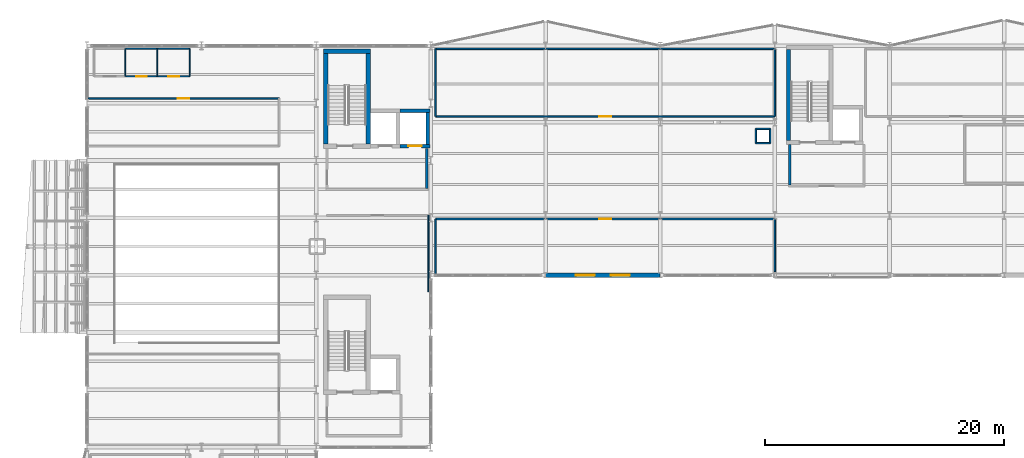
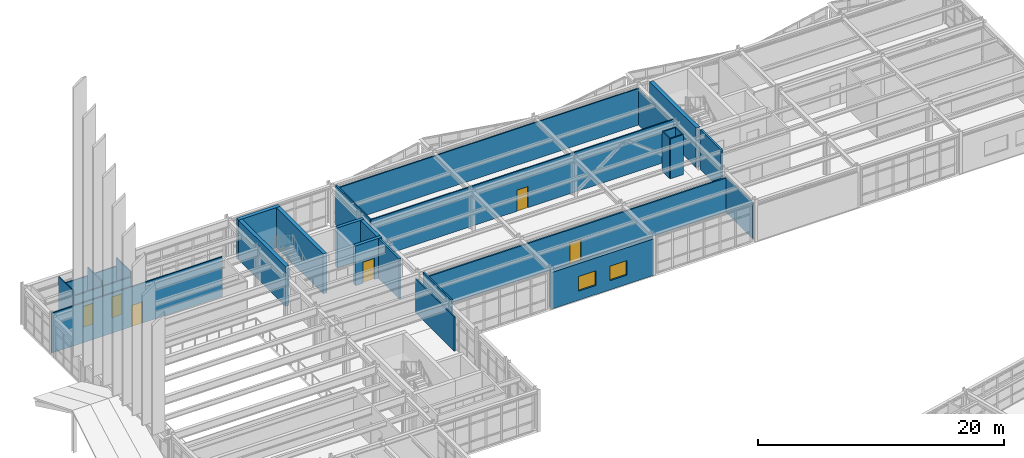
# One storey, part 85 of 99: 30 walls, 6 doors, 2 windows, 8 openings.
"""IFC4 building model written with IfcOpenShell, lengths in metres."""

import ifcopenshell
import ifcopenshell.guid

model = None  # the IFC model being written
_history = None  # IfcOwnerHistory: only IFC2X3 demands one
_inside = {}  # id of a spatial element -> (the spatial element, [elements in it])
_under = {}  # id of a project, library or spatial element -> (it, [spatial elements below it])
_declared = {}  # id of a project -> (the project, [libraries it declares])
_typed = {}  # id of a type object -> (the type object, [elements of that type])
_made_of = {}  # id of a material, layer set ... -> (it, [elements and type objects made of it])


def new_model(schema):
    """Start an empty IFC model of exactly this schema.

    Asked for "IFC4X3", IfcOpenShell would pick the latest addendum, in which some entities
    have other attributes; the version numbers below select the first issue.
    IFC2X3 requires an IfcOwnerHistory on every rooted entity: one is made here for all.
    """
    global model, _history
    if schema == "IFC4X3":
        model = ifcopenshell.file(schema_version=(4, 3, 0, 0))
    else:
        model = ifcopenshell.file(schema=schema)
    _inside.clear()
    _under.clear()
    _declared.clear()
    _typed.clear()
    _made_of.clear()
    _history = None
    if model.schema == "IFC2X3":
        org = make("IfcOrganization", Name="unknown")
        user = make(
            "IfcPersonAndOrganization",
            ThePerson=make("IfcPerson", FamilyName="unknown"),
            TheOrganization=org,
        )
        app = make(
            "IfcApplication",
            ApplicationDeveloper=org,
            Version="unknown",
            ApplicationFullName="unknown",
            ApplicationIdentifier="unknown",
        )
        _history = make(
            "IfcOwnerHistory",
            OwningUser=user,
            OwningApplication=app,
            ChangeAction="ADDED",
            CreationDate=0,
        )
    return model


def make(cls, **values):
    """One entity of the class cls with the attributes given. An attribute that is None is left unset."""
    return model.create_entity(
        cls, **{name: value for name, value in values.items() if value is not None}
    )


def rooted(cls, **values):
    """An entity with a GlobalId (a new one), such as an element, a storey or a relation."""
    return make(cls, GlobalId=ifcopenshell.guid.new(), OwnerHistory=_history, **values)


def si_unit(unit_type, name, prefix=None):
    """IfcSIUnit, for example si_unit("LENGTHUNIT", "METRE", prefix="MILLI")."""
    return make("IfcSIUnit", UnitType=unit_type, Prefix=prefix, Name=name)


def assignment(units):
    """IfcUnitAssignment: the units of a project."""
    return None if units is None else make("IfcUnitAssignment", Units=units)


def point(xyz):
    """IfcCartesianPoint."""
    return None if xyz is None else make("IfcCartesianPoint", Coordinates=xyz)


def direction(xyz):
    """IfcDirection."""
    return None if xyz is None else make("IfcDirection", DirectionRatios=xyz)


def frame(location, z_axis=None, x_axis=None):
    """IfcAxis2Placement3D, a coordinate frame: its origin and axes. An axis left out is left unset."""
    return make(
        "IfcAxis2Placement3D",
        Location=point(location),
        Axis=direction(z_axis),
        RefDirection=direction(x_axis),
    )


def frame_2d(location, x_axis=None):
    """IfcAxis2Placement2D, a coordinate frame in the plane: its origin and x axis."""
    return make(
        "IfcAxis2Placement2D", Location=point(location), RefDirection=direction(x_axis)
    )


def origin():
    """The frame at (0, 0, 0) with its axes left unset."""
    return frame((0.0, 0.0, 0.0))


def place(relative_to, where):
    """IfcLocalPlacement: puts the frame where relative to a parent placement (None: the world)."""
    return make(
        "IfcLocalPlacement", PlacementRelTo=relative_to, RelativePlacement=where
    )


def context(
    kind, dimensions, precision=None, world=None, true_north=None, identifier=None
):
    """IfcGeometricRepresentationContext, for example the 3D "Model" context."""
    return make(
        "IfcGeometricRepresentationContext",
        ContextIdentifier=identifier,
        ContextType=kind,
        CoordinateSpaceDimension=dimensions,
        Precision=precision,
        WorldCoordinateSystem=world,
        TrueNorth=true_north,
    )


def subcontext(parent, identifier, kind, view, scale=None):
    """IfcGeometricRepresentationSubContext, for example "Body" below "Model"."""
    return make(
        "IfcGeometricRepresentationSubContext",
        ContextIdentifier=identifier,
        ContextType=kind,
        ParentContext=parent,
        TargetScale=scale,
        TargetView=view,
    )


def project(units=None, contexts=None):
    """IfcProject with its units and contexts."""
    return rooted(
        "IfcProject",
        Name="project",
        RepresentationContexts=contexts,
        UnitsInContext=assignment(units),
    )


def spatial(cls, under=None, at=None, **own):
    """A site, building, storey or space (cls), placed at a placement, below another one or the project."""
    s = rooted(cls, ObjectPlacement=at, **own)
    if under is not None:
        _under.setdefault(under.id(), (under, []))[1].append(s)
    return s


def profile(cls, at=None, kind="AREA", **sizes):
    """A parametric profile (cls). Its sizes go by their IFC names, for example OverallWidth=200.0."""
    return make(cls, ProfileType=kind, Position=at, **sizes)


def rectangle(**sizes):
    """IfcRectangleProfileDef."""
    return profile("IfcRectangleProfileDef", **sizes)


def extrude(swept, where, along, depth):
    """IfcExtrudedAreaSolid: the profile swept, set in the frame where, extruded along a direction by depth."""
    return make(
        "IfcExtrudedAreaSolid",
        SweptArea=swept,
        Position=where,
        ExtrudedDirection=direction(along),
        Depth=depth,
    )


def shape(context_of_items, identifier, shape_type, items):
    """IfcShapeRepresentation: the items that make up one representation, for example the "Body"."""
    return make(
        "IfcShapeRepresentation",
        ContextOfItems=context_of_items,
        RepresentationIdentifier=identifier,
        RepresentationType=shape_type,
        Items=items,
    )


def material(Name=None, Category=None):
    """IfcMaterial."""
    return make("IfcMaterial", Name=Name, Category=Category)


def layer(
    of_material, thickness, ventilated=None, Name=None, Category=None, Priority=None
):
    """IfcMaterialLayer: one layer of a wall or slab, of a material (None: an air gap)."""
    return make(
        "IfcMaterialLayer",
        Material=of_material,
        LayerThickness=thickness,
        IsVentilated=ventilated,
        Name=Name,
        Category=Category,
        Priority=Priority,
    )


def layer_set(layers, Name=None):
    """IfcMaterialLayerSet."""
    return make("IfcMaterialLayerSet", MaterialLayers=layers, LayerSetName=Name)


def made_of(thing, what):
    """Note that an element or type object is made of a material, layer set ...; save() writes the relation."""
    if what is not None:
        _made_of.setdefault(what.id(), (what, []))[1].append(thing)
    return thing


def type_object(cls, material=None, **own):
    """A type object (cls), such as IfcWallType, which elements share."""
    return made_of(rooted(cls, **own), material)


def element(
    cls,
    number,
    at=None,
    inside=None,
    cuts=None,
    type_object=None,
    material=None,
    context=None,
    identifier="Body",
    shape_type=None,
    held_by="IfcProductDefinitionShape",
    body=None,
    shapes=None,
    **own,
):
    """One element of the class cls, such as IfcWall. Its Tag is "e" and its number.

    at: its placement. inside: the storey or other place that contains it. cuts: it is an
    opening in that element (IfcRelVoidsElement). A single representation is given by context,
    identifier, shape_type and body (its items); several are given by shapes. held_by: the class
    of the entity that holds the representations. save() writes the other relations.
    """
    e = rooted(cls, Tag="e%d" % number, ObjectPlacement=at, **own)
    if body is not None:
        shapes = [shape(context, identifier, shape_type, body)]
    if shapes is not None:
        e.Representation = make(held_by, Representations=shapes)
    if inside is not None:
        _inside.setdefault(inside.id(), (inside, []))[1].append(e)
    if cuts is not None:
        rooted(
            "IfcRelVoidsElement", RelatingBuildingElement=cuts, RelatedOpeningElement=e
        )
    if type_object is not None:
        _typed.setdefault(type_object.id(), (type_object, []))[1].append(e)
    return made_of(e, material)


def fill(opening, filler):
    """IfcRelFillsElement: the door or window that sits in an opening."""
    return rooted(
        "IfcRelFillsElement",
        RelatingOpeningElement=opening,
        RelatedBuildingElement=filler,
    )


def aggregate(whole, parts):
    """IfcRelAggregates: a whole, such as a stair, and the parts it consists of."""
    return rooted("IfcRelAggregates", RelatingObject=whole, RelatedObjects=parts)


def save(model, path):
    """Write the relations noted so far, then the file.

    IfcRelAggregates (storeys below a building ...), IfcRelContainedInSpatialStructure (elements
    in a storey), IfcRelDefinesByType, IfcRelAssociatesMaterial and IfcRelDeclares: one each for
    every whole, place, type object, material and project.
    """
    for whole, parts in _under.values():
        aggregate(whole, parts)
    for where, things in _inside.values():
        rooted(
            "IfcRelContainedInSpatialStructure",
            RelatedElements=things,
            RelatingStructure=where,
        )
    for kind, things in _typed.values():
        rooted("IfcRelDefinesByType", RelatedObjects=things, RelatingType=kind)
    for what, things in _made_of.values():
        rooted("IfcRelAssociatesMaterial", RelatedObjects=things, RelatingMaterial=what)
    for by, libraries in _declared.values():
        rooted("IfcRelDeclares", RelatingContext=by, RelatedDefinitions=libraries)
    model.write(path)


model = new_model("IFC4")

# Units and contexts
model_context = context("Model", 3, precision=1e-05, world=origin(), true_north=direction((0.0, 1.0)))
body_context = subcontext(model_context, "Body", "Model", "MODEL_VIEW")
ifc_project = project(units=[si_unit("LENGTHUNIT", "METRE"), si_unit("AREAUNIT", "SQUARE_METRE"), si_unit("VOLUMEUNIT", "CUBIC_METRE"), si_unit("PLANEANGLEUNIT", "RADIAN"), si_unit("MASSUNIT", "GRAM", prefix="KILO")], contexts=[model_context])

# Site, building, storey
site_placement = place(None, origin())
site = spatial("IfcSite", under=ifc_project, at=site_placement, CompositionType="ELEMENT")
building_placement = place(site_placement, origin())
building = spatial("IfcBuilding", under=site, at=building_placement, Name="Nordkorset Police Headquarters", CompositionType="ELEMENT")
storey_placement = place(building_placement, frame((0.0, 0.0, 5.25)))
storey = spatial("IfcBuildingStorey", under=building, at=storey_placement, Name="L01", CompositionType="ELEMENT", Elevation=5.25)

# Wall
ifc_material_1 = material(Name="Gypsum board", Category="gypsum")
ifc_layer_1 = layer(ifc_material_1, 0.139892578125, Name="Gypsum board")
ifc_layer_set_1 = layer_set([ifc_layer_1], Name="Gypsum board")
wall_type_1 = type_object("IfcWallType", Name="Wall_Acoust_140", PredefinedType="PARTITIONING", material=ifc_layer_set_1)
wall_1_placement = place(storey_placement, frame((57.60009765625, 97.89990234375, 0.0), z_axis=(0.0, 0.0, 1.0), x_axis=(0.0, 1.0, 0.0)))
element("IfcWall", 1, at=wall_1_placement, inside=storey, type_object=wall_type_1, Name="Interior Partition Wall Recorded Suspect Interview Suite A", PredefinedType="PARTITIONING", context=body_context, shape_type="SweptSolid", body=[
    extrude(rectangle(XDim=4.400146484375, YDim=0.139892578125, at=frame_2d((2.2001953125, 0.0))), origin(), (0.0, 0.0, 1.0), 3.5),
])

# Wall, opening, door
wall_2_placement = place(storey_placement, frame((57.60009765625, 102.300048828125, 0.0), z_axis=(0.0, 0.0, 1.0), x_axis=(-1.0, 0.0, 0.0)))
wall_2 = element("IfcWall", 2, at=wall_2_placement, inside=storey, type_object=wall_type_1, Name="Interior Partition Wall Recorded Suspect Interview Suite A", PredefinedType="PARTITIONING", context=body_context, shape_type="SweptSolid", body=[
    extrude(rectangle(XDim=28.400146484375, YDim=0.139892578125, at=frame_2d((14.2001953125, 0.0))), origin(), (0.0, 0.0, 1.0), 3.39990234375),
])
opening_1_placement = place(wall_2_placement, frame((13.679931640625, 0.0, 0.0)))
opening_1 = element("IfcOpeningElement", 3, at=opening_1_placement, cuts=wall_2, Name="Opening DR-09", PredefinedType="OPENING", context=body_context, shape_type="SweptSolid", body=[
    extrude(rectangle(XDim=1.0400390625, YDim=2.080078125, at=frame_2d((0.52001953125, 1.0400390625))), frame((0.0, 0.080078125, 0.0), z_axis=(0.0, -1.0, 0.0), x_axis=(1.0, 0.0, 0.0)), (0.0, 0.0, 1.0), 0.159912109375),
])
ifc_material_2 = material(Name="Glulam GL30c", Category="wood")
door_type_1 = type_object("IfcDoorType", Name="Door_Interview_1040x2080", OperationType="NOTDEFINED", PredefinedType="DOOR", material=ifc_material_2)
door_1_placement = place(opening_1_placement, origin())
door_1 = element("IfcDoor", 4, at=door_1_placement, inside=storey, type_object=door_type_1, Name="Interior Door Recorded Suspect Interview Suite A", OperationType="SINGLE_SWING_RIGHT", OverallHeight=2.080078125, OverallWidth=1.0400390625, PredefinedType="DOOR", context=body_context, shape_type="SweptSolid", body=[
    extrude(rectangle(XDim=1.0400390625, YDim=2.080078125, at=frame_2d((0.52001953125, 1.0400390625))), frame((0.0, 0.02490234375, 0.0), z_axis=(0.0, -1.0, 0.0), x_axis=(1.0, 0.0, 0.0)), (0.0, 0.0, 1.0), 0.050048828125),
])
fill(opening_1, door_1)

# Walls
wall_3_placement = place(storey_placement, frame((29.199951171875, 102.300048828125, 0.0), z_axis=(0.0, 0.0, 1.0), x_axis=(0.0, -1.0, 0.0)))
element("IfcWall", 5, at=wall_3_placement, inside=storey, type_object=wall_type_1, Name="Interior Partition Wall Recorded Suspect Interview Suite A", PredefinedType="PARTITIONING", context=body_context, shape_type="SweptSolid", body=[
    extrude(rectangle(XDim=4.614990234375, YDim=0.139892578125, at=frame_2d((2.3076171875, 0.0))), origin(), (0.0, 0.0, 1.0), 3.9599609375),
])
ifc_material_3 = material(Name="Gypsum board", Category="gypsum")
ifc_layer_2 = layer(ifc_material_3, 0.179931640625, Name="Gypsum board")
ifc_layer_set_2 = layer_set([ifc_layer_2], Name="Gypsum board")
wall_type_2 = type_object("IfcWallType", Name="Wall_Comp_180", PredefinedType="PARTITIONING", material=ifc_layer_set_2)
for number, where, z_axis, x_axis, name in (
    (6, (28.4599609375, 104.85009765625, 0.0), (0.0, 0.0, 1.0), (0.0, 1.0, 0.0), "Firefighting Lobby EI 60 Wall K1 L01 E"),
    (7, (58.840087890625, 105.14990234375, 0.0), (0.0, 0.0, 1.0), (0.0, 1.0, 0.0), "Firefighting Lobby EI 60 Wall K2 L01 W"),
):
    element("IfcWall", number, at=place(storey_placement, frame(where, z_axis=z_axis, x_axis=x_axis)), inside=storey, type_object=wall_type_2, Name=name, PredefinedType="PARTITIONING", context=body_context, shape_type="SweptSolid", body=[
        extrude(rectangle(XDim=3.375, YDim=0.179931640625, at=frame_2d((1.6875, 0.0))), origin(), (0.0, 0.0, 1.0), 3.9599609375),
    ])
ifc_material_4 = material(Name="Concrete C35/45", Category="concrete")
ifc_layer_3 = layer(ifc_material_4, 0.35009765625, Name="Concrete C35/45")
ifc_layer_set_3 = layer_set([ifc_layer_3], Name="Concrete C35/45")
wall_type_3 = type_object("IfcWallType", Name="Wall_CoreShear_350", PredefinedType="SHEAR", material=ifc_layer_set_3)
wall_4_placement = place(storey_placement, frame((19.824951171875, 116.35009765625, 0.0), z_axis=(0.0, 0.0, 1.0), x_axis=(1.0, 0.0, 0.0)))
element("IfcWall", 8, at=wall_4_placement, inside=storey, type_object=wall_type_3, Name="Core K1 Stair Shaft North Shear Wall L01", PredefinedType="SHEAR", context=body_context, shape_type="SweptSolid", body=[
    extrude(rectangle(XDim=3.900146484375, YDim=0.35009765625, at=frame_2d((1.9501953125, 0.0))), origin(), (0.0, 0.0, 1.0), 3.9599609375),
])
for number, where, z_axis, x_axis, name in (
    (9, (20.0, 108.574951171875, 0.0), (0.0, 0.0, 1.0), (0.0, 1.0, 0.0), "Core K1 Stair Shaft West Shear Wall L01"),
    (10, (23.550048828125, 108.574951171875, 0.0), (0.0, 0.0, 1.0), (0.0, 1.0, 0.0), "Core K1 Stair Shaft East Shear Wall L01"),
    (11, (58.75, 108.875, 0.0), (0.0, 0.0, 1.0), (0.0, 1.0, 0.0), "Core K2 Stair Shaft West Shear Wall L01"),
):
    element("IfcWall", number, at=place(storey_placement, frame(where, z_axis=z_axis, x_axis=x_axis)), inside=storey, type_object=wall_type_3, Name=name, PredefinedType="SHEAR", context=body_context, shape_type="SweptSolid", body=[
        extrude(rectangle(XDim=7.60009765625, YDim=0.35009765625, at=frame_2d((3.800048828125, 0.0))), origin(), (0.0, 0.0, 1.0), 3.9599609375),
    ])

# Wall, openings, windows
ifc_material_5 = material(Name="Precast concrete C40/50", Category="concrete")
ifc_layer_4 = layer(ifc_material_5, 0.360107421875, Name="Precast concrete C40/50")
ifc_layer_set_4 = layer_set([ifc_layer_4], Name="Precast concrete C40/50")
wall_type_4 = type_object("IfcWallType", Name="Wall_ExtPrecast_360", PredefinedType="SOLIDWALL", material=ifc_layer_set_4)
wall_5_placement = place(storey_placement, frame((38.40869140625, 97.60009765625, 0.0), z_axis=(0.0, 0.0, 1.0), x_axis=(1.0, 0.0, 0.0)))
wall_5 = element("IfcWall", 12, at=wall_5_placement, inside=storey, type_object=wall_type_4, Name="Exterior Insulated Precast Wall L01 V2S-1", PredefinedType="SOLIDWALL", context=body_context, shape_type="SweptSolid", body=[
    extrude(rectangle(XDim=9.58251953125, YDim=0.360107421875, at=frame_2d((4.791259765625, 0.0))), origin(), (0.0, 0.0, 1.0), 3.6298828125),
])
opening_2_placement = place(wall_5_placement, frame((2.524658203125, 0.0, 0.89990234375)))
opening_2 = element("IfcOpeningElement", 13, at=opening_2_placement, cuts=wall_5, Name="Opening WN-37", PredefinedType="OPENING", context=body_context, shape_type="SweptSolid", body=[
    extrude(rectangle(XDim=1.60009765625, YDim=1.449951171875, at=frame_2d((0.800048828125, 0.72509765625))), frame((0.0, 0.18994140625, 0.0), z_axis=(0.0, -1.0, 0.0), x_axis=(1.0, 0.0, 0.0)), (0.0, 0.0, 1.0), 0.380126953125),
])
opening_3_placement = place(wall_5_placement, frame((5.4580078125, 0.0, 0.89990234375)))
opening_3 = element("IfcOpeningElement", 14, at=opening_3_placement, cuts=wall_5, Name="Opening WN-37", PredefinedType="OPENING", context=body_context, shape_type="SweptSolid", body=[
    extrude(rectangle(XDim=1.60009765625, YDim=1.449951171875, at=frame_2d((0.800048828125, 0.72509765625))), frame((0.0, 0.18994140625, 0.0), z_axis=(0.0, -1.0, 0.0), x_axis=(1.0, 0.0, 0.0)), (0.0, 0.0, 1.0), 0.380126953125),
])
ifc_material_6 = material(Name="Low-iron triple glazing", Category="glass")
window_type = type_object("IfcWindowType", Name="Win_1600x1450", PartitioningType="SINGLE_PANEL", PredefinedType="WINDOW", material=ifc_material_6)
window_1_placement = place(opening_2_placement, origin())
window_1 = element("IfcWindow", 15, at=window_1_placement, inside=storey, type_object=window_type, Name="Triple-Glazed Exterior Window L01 V2S-1-1", OverallHeight=1.449951171875, OverallWidth=1.60009765625, PartitioningType="SINGLE_PANEL", PredefinedType="WINDOW", context=body_context, shape_type="SweptSolid", body=[
    extrude(rectangle(XDim=1.60009765625, YDim=1.449951171875, at=frame_2d((0.800048828125, 0.72509765625))), frame((0.0, 0.030029296875, 0.0), z_axis=(0.0, -1.0, 0.0), x_axis=(1.0, 0.0, 0.0)), (0.0, 0.0, 1.0), 0.06005859375),
])
fill(opening_2, window_1)
window_2_placement = place(opening_3_placement, origin())
window_2 = element("IfcWindow", 16, at=window_2_placement, inside=storey, type_object=window_type, Name="Triple-Glazed Exterior Window L01 V2S-1-2", OverallHeight=1.449951171875, OverallWidth=1.60009765625, PartitioningType="SINGLE_PANEL", PredefinedType="WINDOW", context=body_context, shape_type="SweptSolid", body=[
    extrude(rectangle(XDim=1.60009765625, YDim=1.449951171875, at=frame_2d((0.800048828125, 0.72509765625))), frame((0.0, 0.030029296875, 0.0), z_axis=(0.0, -1.0, 0.0), x_axis=(1.0, 0.0, 0.0)), (0.0, 0.0, 1.0), 0.06005859375),
])
fill(opening_3, window_2)

# Wall
ifc_material_7 = material(Name="Gypsum board", Category="gypsum")
ifc_layer_5 = layer(ifc_material_7, 0.10009765625, Name="Gypsum board")
ifc_layer_set_5 = layer_set([ifc_layer_5], Name="Gypsum board")
wall_type_5 = type_object("IfcWallType", Name="Wall_Part_100", PredefinedType="PARTITIONING", material=ifc_layer_set_5)
wall_6_placement = place(storey_placement, frame((3.199951171875, 114.25, 0.0), z_axis=(0.0, 0.0, 1.0), x_axis=(0.0, 1.0, 0.0)))
element("IfcWall", 17, at=wall_6_placement, inside=storey, type_object=wall_type_5, Name="Interior Partition Wall Accessible WC L01W", PredefinedType="PARTITIONING", context=body_context, shape_type="SweptSolid", body=[
    extrude(rectangle(XDim=2.300048828125, YDim=0.10009765625, at=frame_2d((1.14990234375, 0.0))), origin(), (0.0, 0.0, 1.0), 3.9599609375),
])

# Wall, opening, door
wall_7_placement = place(storey_placement, frame((3.2451171875, 114.25, 0.0), z_axis=(0.0, 0.0, 1.0), x_axis=(1.0, 0.0, 0.0)))
wall_7 = element("IfcWall", 18, at=wall_7_placement, inside=storey, type_object=wall_type_5, Name="Interior Partition Wall Staff Female WC L01W", PredefinedType="PARTITIONING", context=body_context, shape_type="SweptSolid", body=[
    extrude(rectangle(XDim=2.65478515625, YDim=0.10009765625, at=frame_2d((1.327392578125, 0.0))), origin(), (0.0, 0.0, 1.0), 3.43994140625),
])
opening_4_placement = place(wall_7_placement, frame((0.867431640625, 0.0, 0.0)))
opening_4 = element("IfcOpeningElement", 19, at=opening_4_placement, cuts=wall_7, Name="Opening DR-21", PredefinedType="OPENING", context=body_context, shape_type="SweptSolid", body=[
    extrude(rectangle(XDim=0.919921875, YDim=2.080078125, at=frame_2d((0.4599609375, 1.0400390625))), frame((0.0, 0.06005859375, 0.0), z_axis=(0.0, -1.0, 0.0), x_axis=(1.0, 0.0, 0.0)), (0.0, 0.0, 1.0), 0.1201171875),
])
ifc_material_8 = material(Name="Glulam GL30c", Category="wood")
door_type_2 = type_object("IfcDoorType", Name="Door_WCStaff_920x2080", OperationType="NOTDEFINED", PredefinedType="DOOR", material=ifc_material_8)
door_2_placement = place(opening_4_placement, frame((0.919921875, 0.0, 0.0), z_axis=(0.0, 0.0, 1.0), x_axis=(-1.0, 0.0, 0.0)))
door_2 = element("IfcDoor", 20, at=door_2_placement, inside=storey, type_object=door_type_2, Name="Interior Door Staff Female WC L01W", OperationType="SINGLE_SWING_LEFT", OverallHeight=2.080078125, OverallWidth=0.919921875, PredefinedType="DOOR", context=body_context, shape_type="SweptSolid", body=[
    extrude(rectangle(XDim=0.919921875, YDim=2.080078125, at=frame_2d((0.4599609375, 1.0400390625))), frame((0.0, 0.02490234375, 0.0), z_axis=(0.0, -1.0, 0.0), x_axis=(1.0, 0.0, 0.0)), (0.0, 0.0, 1.0), 0.050048828125),
])
fill(opening_4, door_2)

# Walls
wall_8_placement = place(storey_placement, frame((5.89990234375, 114.25, 0.0), z_axis=(0.0, 0.0, 1.0), x_axis=(0.0, 1.0, 0.0)))
element("IfcWall", 21, at=wall_8_placement, inside=storey, type_object=wall_type_5, Name="Interior Partition Wall Staff Female WC L01W", PredefinedType="PARTITIONING", context=body_context, shape_type="SweptSolid", body=[
    extrude(rectangle(XDim=2.300048828125, YDim=0.10009765625, at=frame_2d((1.14990234375, 0.0))), origin(), (0.0, 0.0, 1.0), 3.9599609375),
])
wall_9_placement = place(storey_placement, frame((5.89990234375, 116.550048828125, 0.0), z_axis=(0.0, 0.0, 1.0), x_axis=(-1.0, 0.0, 0.0)))
element("IfcWall", 22, at=wall_9_placement, inside=storey, type_object=wall_type_5, Name="Interior Partition Wall Staff Female WC L01W", PredefinedType="PARTITIONING", context=body_context, shape_type="SweptSolid", body=[
    extrude(rectangle(XDim=2.65478515625, YDim=0.10009765625, at=frame_2d((1.327392578125, 0.0))), origin(), (0.0, 0.0, 1.0), 3.139892578125),
])

# Wall, opening, door
wall_10_placement = place(storey_placement, frame((5.945068359375, 114.25, 0.0), z_axis=(0.0, 0.0, 1.0), x_axis=(1.0, 0.0, 0.0)))
wall_10 = element("IfcWall", 23, at=wall_10_placement, inside=storey, type_object=wall_type_5, Name="Interior Partition Wall Staff Male WC L01W", PredefinedType="PARTITIONING", context=body_context, shape_type="SweptSolid", body=[
    extrude(rectangle(XDim=2.655029296875, YDim=0.10009765625, at=frame_2d((1.32763671875, 0.0))), origin(), (0.0, 0.0, 1.0), 3.43994140625),
])
opening_5_placement = place(wall_10_placement, frame((0.867431640625, 0.0, 0.0)))
opening_5 = element("IfcOpeningElement", 24, at=opening_5_placement, cuts=wall_10, Name="Opening DR-21", PredefinedType="OPENING", context=body_context, shape_type="SweptSolid", body=[
    extrude(rectangle(XDim=0.919921875, YDim=2.080078125, at=frame_2d((0.4599609375, 1.0400390625))), frame((0.0, 0.06005859375, 0.0), z_axis=(0.0, -1.0, 0.0), x_axis=(1.0, 0.0, 0.0)), (0.0, 0.0, 1.0), 0.1201171875),
])
door_3_placement = place(opening_5_placement, origin())
door_3 = element("IfcDoor", 25, at=door_3_placement, inside=storey, type_object=door_type_2, Name="Interior Door Staff Male WC L01W", OperationType="SINGLE_SWING_RIGHT", OverallHeight=2.080078125, OverallWidth=0.919921875, PredefinedType="DOOR", context=body_context, shape_type="SweptSolid", body=[
    extrude(rectangle(XDim=0.919921875, YDim=2.080078125, at=frame_2d((0.4599609375, 1.0400390625))), frame((0.0, 0.02490234375, 0.0), z_axis=(0.0, -1.0, 0.0), x_axis=(1.0, 0.0, 0.0)), (0.0, 0.0, 1.0), 0.050048828125),
])
fill(opening_5, door_3)

# Walls
wall_11_placement = place(storey_placement, frame((8.60009765625, 114.25, 0.0), z_axis=(0.0, 0.0, 1.0), x_axis=(0.0, 1.0, 0.0)))
element("IfcWall", 26, at=wall_11_placement, inside=storey, type_object=wall_type_5, Name="Interior Partition Wall Staff Male WC L01W", PredefinedType="PARTITIONING", context=body_context, shape_type="SweptSolid", body=[
    extrude(rectangle(XDim=2.300048828125, YDim=0.10009765625, at=frame_2d((1.14990234375, 0.0))), origin(), (0.0, 0.0, 1.0), 3.9599609375),
])
wall_12_placement = place(storey_placement, frame((8.60009765625, 116.550048828125, 0.0), z_axis=(0.0, 0.0, 1.0), x_axis=(-1.0, 0.0, 0.0)))
element("IfcWall", 27, at=wall_12_placement, inside=storey, type_object=wall_type_5, Name="Interior Partition Wall Staff Male WC L01W", PredefinedType="PARTITIONING", context=body_context, shape_type="SweptSolid", body=[
    extrude(rectangle(XDim=2.655029296875, YDim=0.10009765625, at=frame_2d((1.32763671875, 0.0))), origin(), (0.0, 0.0, 1.0), 3.139892578125),
])

# Wall, opening, door
ifc_material_9 = material(Name="Gypsum board", Category="gypsum")
ifc_layer_6 = layer(ifc_material_9, 0.1201171875, Name="Gypsum board")
ifc_layer_set_6 = layer_set([ifc_layer_6], Name="Gypsum board")
wall_type_6 = type_object("IfcWallType", Name="Wall_Part_120", PredefinedType="PARTITIONING", material=ifc_layer_set_6)
wall_13_placement = place(storey_placement, frame((16.10009765625, 112.39990234375, 0.0), z_axis=(0.0, 0.0, 1.0), x_axis=(-1.0, 0.0, 0.0)))
wall_13 = element("IfcWall", 28, at=wall_13_placement, inside=storey, type_object=wall_type_6, Name="Interior Partition Wall Public Affairs and Digital Media Suite", PredefinedType="PARTITIONING", context=body_context, shape_type="SweptSolid", body=[
    extrude(rectangle(XDim=16.01513671875, YDim=0.1201171875, at=frame_2d((8.007568359375, 0.0))), origin(), (0.0, 0.0, 1.0), 3.9599609375),
])
opening_6_placement = place(wall_13_placement, frame((7.517578125, 0.0, 0.0)))
opening_6 = element("IfcOpeningElement", 29, at=opening_6_placement, cuts=wall_13, Name="Opening DR-18", PredefinedType="OPENING", context=body_context, shape_type="SweptSolid", body=[
    extrude(rectangle(XDim=0.97998046875, YDim=2.10009765625, at=frame_2d((0.489990234375, 1.050048828125))), frame((0.0, 0.070068359375, 0.0), z_axis=(0.0, -1.0, 0.0), x_axis=(1.0, 0.0, 0.0)), (0.0, 0.0, 1.0), 0.14013671875),
])
ifc_material_10 = material(Name="Glulam GL30c", Category="wood")
door_type_3 = type_object("IfcDoorType", Name="Door_Office_980x2100", OperationType="NOTDEFINED", PredefinedType="DOOR", material=ifc_material_10)
door_4_placement = place(opening_6_placement, frame((0.97998046875, 0.0, 0.0), z_axis=(0.0, 0.0, 1.0), x_axis=(-1.0, 0.0, 0.0)))
door_4 = element("IfcDoor", 30, at=door_4_placement, inside=storey, type_object=door_type_3, Name="Interior Door Public Affairs and Digital Media Suite", OperationType="SINGLE_SWING_LEFT", OverallHeight=2.10009765625, OverallWidth=0.97998046875, PredefinedType="DOOR", context=body_context, shape_type="SweptSolid", body=[
    extrude(rectangle(XDim=0.97998046875, YDim=2.10009765625, at=frame_2d((0.489990234375, 1.050048828125))), frame((0.0, 0.02490234375, 0.0), z_axis=(0.0, -1.0, 0.0), x_axis=(1.0, 0.0, 0.0)), (0.0, 0.0, 1.0), 0.050048828125),
])
fill(opening_6, door_4)

# Wall
wall_14_placement = place(storey_placement, frame((28.60009765625, 96.199951171875, 0.0), z_axis=(0.0, 0.0, 1.0), x_axis=(0.0, 1.0, 0.0)))
element("IfcWall", 31, at=wall_14_placement, inside=storey, type_object=wall_type_6, Name="Interior Partition Wall Citizen Outreach Office", PredefinedType="PARTITIONING", context=body_context, shape_type="SweptSolid", body=[
    extrude(rectangle(XDim=6.400146484375, YDim=0.1201171875, at=frame_2d((3.2001953125, 0.0))), origin(), (0.0, 0.0, 1.0), 3.39990234375),
])

# Wall, opening, door
wall_15_placement = place(storey_placement, frame((29.199951171875, 110.89990234375, 0.0), z_axis=(0.0, 0.0, 1.0), x_axis=(1.0, 0.0, 0.0)))
wall_15 = element("IfcWall", 32, at=wall_15_placement, inside=storey, type_object=wall_type_6, Name="Interior Partition Wall Metropolitan Patrol Investigation Hub", PredefinedType="PARTITIONING", context=body_context, shape_type="SweptSolid", body=[
    extrude(rectangle(XDim=28.400146484375, YDim=0.1201171875, at=frame_2d((14.2001953125, 0.0))), origin(), (0.0, 0.0, 1.0), 3.9599609375),
])
opening_7_placement = place(wall_15_placement, frame((13.68994140625, 0.0, 0.0)))
opening_7 = element("IfcOpeningElement", 33, at=opening_7_placement, cuts=wall_15, Name="Opening DR-19", PredefinedType="OPENING", context=body_context, shape_type="SweptSolid", body=[
    extrude(rectangle(XDim=1.02001953125, YDim=2.10009765625, at=frame_2d((0.510009765625, 1.050048828125))), frame((0.0, 0.070068359375, 0.0), z_axis=(0.0, -1.0, 0.0), x_axis=(1.0, 0.0, 0.0)), (0.0, 0.0, 1.0), 0.14013671875),
])
ifc_material_11 = material(Name="Glulam GL30c", Category="wood")
door_type_4 = type_object("IfcDoorType", Name="Door_Office_1020x2100", OperationType="NOTDEFINED", PredefinedType="DOOR", material=ifc_material_11)
door_5_placement = place(opening_7_placement, origin())
door_5 = element("IfcDoor", 34, at=door_5_placement, inside=storey, type_object=door_type_4, Name="Interior Door Metropolitan Patrol Investigation Hub", OperationType="SINGLE_SWING_RIGHT", OverallHeight=2.10009765625, OverallWidth=1.02001953125, PredefinedType="DOOR", context=body_context, shape_type="SweptSolid", body=[
    extrude(rectangle(XDim=1.02001953125, YDim=2.10009765625, at=frame_2d((0.510009765625, 1.050048828125))), frame((0.0, 0.02490234375, 0.0), z_axis=(0.0, -1.0, 0.0), x_axis=(1.0, 0.0, 0.0)), (0.0, 0.0, 1.0), 0.050048828125),
])
fill(opening_7, door_5)

# Walls
wall_16_placement = place(storey_placement, frame((57.60009765625, 110.89990234375, 0.0), z_axis=(0.0, 0.0, 1.0), x_axis=(0.0, 1.0, 0.0)))
element("IfcWall", 35, at=wall_16_placement, inside=storey, type_object=wall_type_6, Name="Interior Partition Wall Metropolitan Patrol Investigation Hub", PredefinedType="PARTITIONING", context=body_context, shape_type="SweptSolid", body=[
    extrude(rectangle(XDim=5.650146484375, YDim=0.1201171875, at=frame_2d((2.8251953125, 0.0))), origin(), (0.0, 0.0, 1.0), 3.5),
])
wall_17_placement = place(storey_placement, frame((57.60009765625, 116.550048828125, 0.0), z_axis=(0.0, 0.0, 1.0), x_axis=(-1.0, 0.0, 0.0)))
element("IfcWall", 36, at=wall_17_placement, inside=storey, type_object=wall_type_6, Name="Interior Partition Wall Metropolitan Patrol Investigation Hub", PredefinedType="PARTITIONING", context=body_context, shape_type="SweptSolid", body=[
    extrude(rectangle(XDim=28.400146484375, YDim=0.1201171875, at=frame_2d((14.2001953125, 0.0))), origin(), (0.0, 0.0, 1.0), 3.6298828125),
])
wall_18_placement = place(storey_placement, frame((29.199951171875, 116.550048828125, 0.0), z_axis=(0.0, 0.0, 1.0), x_axis=(0.0, -1.0, 0.0)))
element("IfcWall", 37, at=wall_18_placement, inside=storey, type_object=wall_type_6, Name="Interior Partition Wall Metropolitan Patrol Investigation Hub", PredefinedType="PARTITIONING", context=body_context, shape_type="SweptSolid", body=[
    extrude(rectangle(XDim=5.650146484375, YDim=0.1201171875, at=frame_2d((2.8251953125, 0.0))), origin(), (0.0, 0.0, 1.0), 3.9599609375),
])
ifc_material_12 = material(Name="Gypsum board", Category="gypsum")
ifc_layer_7 = layer(ifc_material_12, 0.125, Name="Gypsum board")
ifc_layer_set_7 = layer_set([ifc_layer_7], Name="Gypsum board")
wall_type_7 = type_object("IfcWallType", Name="Wall_Riser_125", PredefinedType="PARTITIONING", material=ifc_layer_set_7)
wall_19_placement = place(storey_placement, frame((56.0, 108.64990234375, 0.0), z_axis=(0.0, 0.0, 1.0), x_axis=(1.0, 0.0, 0.0)))
element("IfcWall", 38, at=wall_19_placement, inside=storey, type_object=wall_type_7, Name="Service Riser Enclosure RSR-V2 L01", PredefinedType="PARTITIONING", context=body_context, shape_type="SweptSolid", body=[
    extrude(rectangle(XDim=1.199951171875, YDim=0.125, at=frame_2d((0.60009765625, 0.0))), origin(), (0.0, 0.0, 1.0), 3.9599609375),
])
wall_20_placement = place(storey_placement, frame((57.199951171875, 108.64990234375, 0.0), z_axis=(0.0, 0.0, 1.0), x_axis=(0.0, 1.0, 0.0)))
element("IfcWall", 39, at=wall_20_placement, inside=storey, type_object=wall_type_7, Name="Service Riser Enclosure RSR-V2 L01", PredefinedType="PARTITIONING", context=body_context, shape_type="SweptSolid", body=[
    extrude(rectangle(XDim=1.2001953125, YDim=0.125, at=frame_2d((0.60009765625, 0.0))), origin(), (0.0, 0.0, 1.0), 3.9599609375),
])
wall_21_placement = place(storey_placement, frame((57.199951171875, 109.85009765625, 0.0), z_axis=(0.0, 0.0, 1.0), x_axis=(-1.0, 0.0, 0.0)))
element("IfcWall", 40, at=wall_21_placement, inside=storey, type_object=wall_type_7, Name="Service Riser Enclosure RSR-V2 L01", PredefinedType="PARTITIONING", context=body_context, shape_type="SweptSolid", body=[
    extrude(rectangle(XDim=1.199951171875, YDim=0.125, at=frame_2d((0.60009765625, 0.0))), origin(), (0.0, 0.0, 1.0), 3.9599609375),
])
wall_22_placement = place(storey_placement, frame((56.0, 109.85009765625, 0.0), z_axis=(0.0, 0.0, 1.0), x_axis=(0.0, -1.0, 0.0)))
element("IfcWall", 41, at=wall_22_placement, inside=storey, type_object=wall_type_7, Name="Service Riser Enclosure RSR-V2 L01", PredefinedType="PARTITIONING", context=body_context, shape_type="SweptSolid", body=[
    extrude(rectangle(XDim=1.2001953125, YDim=0.125, at=frame_2d((0.60009765625, 0.0))), origin(), (0.0, 0.0, 1.0), 3.9599609375),
])

# Wall, opening, door
ifc_material_13 = material(Name="Concrete C35/45", Category="concrete")
ifc_layer_8 = layer(ifc_material_13, 0.300048828125, Name="Concrete C35/45")
ifc_layer_set_8 = layer_set([ifc_layer_8], Name="Concrete C35/45")
wall_type_8 = type_object("IfcWallType", Name="Wall_ShaftShear_300", PredefinedType="SHEAR", material=ifc_layer_set_8)
wall_23_placement = place(storey_placement, frame((26.22509765625, 108.39990234375, 0.0), z_axis=(0.0, 0.0, 1.0), x_axis=(1.0, 0.0, 0.0)))
wall_23 = element("IfcWall", 42, at=wall_23_placement, inside=storey, type_object=wall_type_8, Name="Lift Shaft LF-02 Front Shear Wall L01", PredefinedType="SHEAR", context=body_context, shape_type="SweptSolid", body=[
    extrude(rectangle(XDim=2.5, YDim=0.300048828125, at=frame_2d((1.25, 0.0))), origin(), (0.0, 0.0, 1.0), 3.9599609375),
])
opening_8_placement = place(wall_23_placement, frame((0.699951171875, 0.0, 0.0)))
opening_8 = element("IfcOpeningElement", 43, at=opening_8_placement, cuts=wall_23, Name="Opening LD-02", PredefinedType="OPENING", context=body_context, shape_type="SweptSolid", body=[
    extrude(rectangle(XDim=1.10009765625, YDim=2.10009765625, at=frame_2d((0.550048828125, 1.050048828125))), frame((0.0, 0.16015625, 0.0), z_axis=(0.0, -1.0, 0.0), x_axis=(1.0, 0.0, 0.0)), (0.0, 0.0, 1.0), 0.320068359375),
])
ifc_material_14 = material(Name="Steel S355J2", Category="steel")
door_type_5 = type_object("IfcDoorType", Name="Door_LiftLanding_1100x2100", OperationType="SLIDING_TO_LEFT", PredefinedType="DOOR", material=ifc_material_14)
door_6_placement = place(opening_8_placement, frame((1.10009765625, 0.0, 0.0), z_axis=(0.0, 0.0, 1.0), x_axis=(-1.0, 0.0, 0.0)))
door_6 = element("IfcDoor", 44, at=door_6_placement, inside=storey, type_object=door_type_5, Name="Lift Landing Sliding Door LF-02 L01", OperationType="SLIDING_TO_LEFT", OverallHeight=2.10009765625, OverallWidth=1.10009765625, PredefinedType="DOOR", context=body_context, shape_type="SweptSolid", body=[
    extrude(rectangle(XDim=1.10009765625, YDim=2.10009765625, at=frame_2d((0.550048828125, 1.050048828125))), frame((0.0, 0.02490234375, 0.0), z_axis=(0.0, -1.0, 0.0), x_axis=(1.0, 0.0, 0.0)), (0.0, 0.0, 1.0), 0.050048828125),
])
fill(opening_8, door_6)

# Walls
wall_24_placement = place(storey_placement, frame((26.22509765625, 111.35009765625, 0.0), z_axis=(0.0, 0.0, 1.0), x_axis=(1.0, 0.0, 0.0)))
element("IfcWall", 45, at=wall_24_placement, inside=storey, type_object=wall_type_8, Name="Lift Shaft LF-02 Rear Shear Wall L01", PredefinedType="SHEAR", context=body_context, shape_type="SweptSolid", body=[
    extrude(rectangle(XDim=2.5, YDim=0.300048828125, at=frame_2d((1.25, 0.0))), origin(), (0.0, 0.0, 1.0), 3.9599609375),
])
wall_25_placement = place(storey_placement, frame((28.550048828125, 108.550048828125, 0.0), z_axis=(0.0, 0.0, 1.0), x_axis=(0.0, 1.0, 0.0)))
element("IfcWall", 46, at=wall_25_placement, inside=storey, type_object=wall_type_8, Name="Lift Shaft LF-02 East Shear Wall L01", PredefinedType="SHEAR", context=body_context, shape_type="SweptSolid", body=[
    extrude(rectangle(XDim=2.64990234375, YDim=0.300048828125, at=frame_2d((1.324951171875, 0.0))), origin(), (0.0, 0.0, 1.0), 3.9599609375),
])

save(model, "model.ifc")
